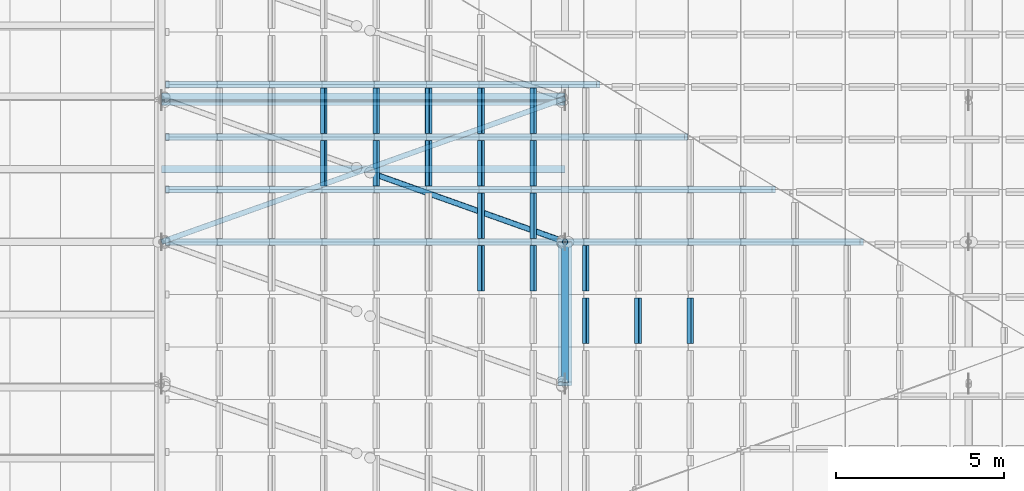
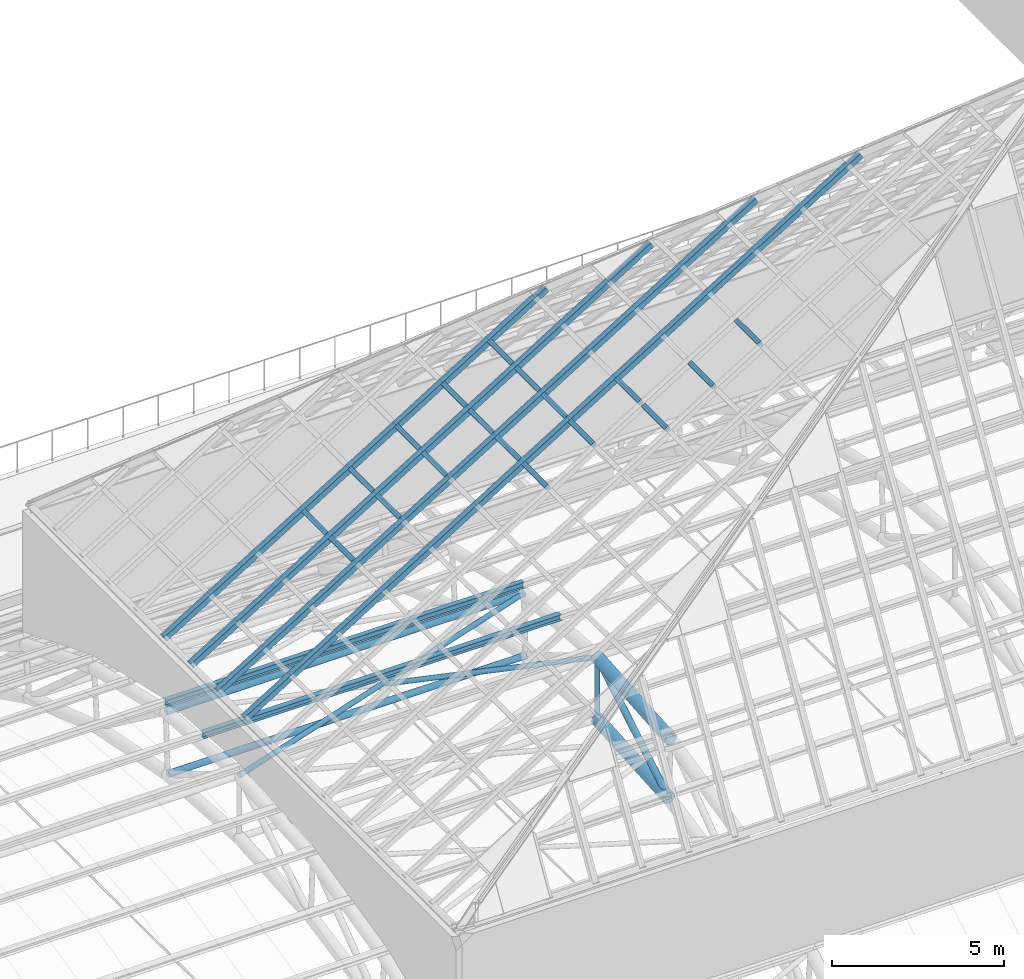
# One storey, part 21 of 110: 32 members.
"""IFC4 building model written with IfcOpenShell, lengths in metres."""

from ifc_helpers import new_model, si_unit, direction, frame, origin, origin_2d, place, context, subcontext, project, spatial, hollow_rectangle, hollow_circle, i_section, extrude, material, material_profile, profile_set, type_object, element, save


model = new_model("IFC4")

# Units and contexts
model_context = context("Model", 3, precision=1e-05, world=origin(), true_north=direction((0.0, 1.0)))
body_context = subcontext(model_context, "Body", "Model", "MODEL_VIEW")
ifc_project = project(units=[si_unit("LENGTHUNIT", "METRE"), si_unit("AREAUNIT", "SQUARE_METRE"), si_unit("VOLUMEUNIT", "CUBIC_METRE"), si_unit("PLANEANGLEUNIT", "RADIAN"), si_unit("MASSUNIT", "GRAM", prefix="KILO")], contexts=[model_context])

# Site, building, storey
site_placement = place(None, origin())
site = spatial("IfcSite", under=ifc_project, at=site_placement, CompositionType="ELEMENT")
building_placement = place(site_placement, origin())
building = spatial("IfcBuilding", under=site, at=building_placement, Name="Windward Yard Aquatics Centre", CompositionType="ELEMENT")
storey_placement = place(building_placement, frame((0.0, 0.0, 22.60009765625)))
storey = spatial("IfcBuildingStorey", under=building, at=storey_placement, Name="L05", CompositionType="ELEMENT", Elevation=22.60009765625)

# Members
ifc_material_1 = material(Name="Steel ASTM A500 Gr C", Category="steel")
ifc_material_profile_1 = material_profile(ifc_material_1, hollow_circle(Radius=0.084228515625, WallThickness=0.010986328125, at=origin_2d()), Name="HSS168.3X11")
ifc_profile_set_1 = profile_set([ifc_material_profile_1], Name="Steel ASTM A500 Gr C")
member_type_1 = type_object("IfcMemberType", Name="H arch post HSS168.3X11", PredefinedType="POST", material=ifc_profile_set_1)
member_1_placement = place(storey_placement, frame((108.0, 61.0, 6.5966796875), z_axis=(0.0, 0.0, 1.0), x_axis=(1.0, 0.0, 0.0)))
element("IfcMember", 1, at=member_1_placement, inside=storey, type_object=member_type_1, Name="H.AT.5.WP06", PredefinedType="POST", context=body_context, shape_type="SweptSolid", body=[
    extrude(hollow_circle(Radius=0.084228515625, WallThickness=0.010986328125, at=origin_2d()), origin(), (0.0, 0.0, 1.0), 2.199951171875),
])
ifc_material_profile_2 = material_profile(ifc_material_1, hollow_circle(Radius=0.203125, WallThickness=0.015869140625, at=origin_2d()), Name="HSS406.4X15.9")
ifc_profile_set_2 = profile_set([ifc_material_profile_2], Name="Steel ASTM A500 Gr C")
member_type_2 = type_object("IfcMemberType", Name="H arch top chord HSS406.4X15.9", PredefinedType="CHORD", material=ifc_profile_set_2)
member_2_placement = place(storey_placement, frame((108.0, 56.7314453125, 8.4697265625), z_axis=(0.0, 0.997080259355, 0.076360699341), x_axis=(-1.0, 0.0, 0.0)))
element("IfcMember", 2, at=member_2_placement, inside=storey, type_object=member_type_2, Name="H.AT.5.TC05", PredefinedType="CHORD", context=body_context, shape_type="SweptSolid", body=[
    extrude(hollow_circle(Radius=0.203125, WallThickness=0.015869140625, at=origin_2d()), origin(), (0.0, 0.0, 1.0), 4.281005859375),
])
member_3_placement = place(storey_placement, frame((108.0, 56.83935546875, 6.323486328125), z_axis=(0.0, 0.997851241995, 0.065520217098), x_axis=(-1.0, 0.0, 0.0)))
element("IfcMember", 3, at=member_3_placement, inside=storey, type_object=member_type_2, Name="H.AT.5.BC05", PredefinedType="CHORD", context=body_context, shape_type="SweptSolid", body=[
    extrude(hollow_circle(Radius=0.203125, WallThickness=0.015869140625, at=origin_2d()), origin(), (0.0, 0.0, 1.0), 4.169677734375),
])
ifc_material_profile_3 = material_profile(ifc_material_1, hollow_circle(Radius=0.109619140625, WallThickness=0.00830078125, at=origin_2d()), Name="HSS219.1X8.2")
ifc_profile_set_3 = profile_set([ifc_material_profile_3], Name="Steel ASTM A500 Gr C")
member_type_3 = type_object("IfcMemberType", Name="H arch web diagonal HSS219.1X8.2", PredefinedType="BRACE", material=ifc_profile_set_3)
member_4_placement = place(storey_placement, frame((108.0, 56.83935546875, 6.323486328125), z_axis=(0.0, 0.859604150376, 0.51096057055), x_axis=(-1.0, 0.0, 0.0)))
element("IfcMember", 4, at=member_4_placement, inside=storey, type_object=member_type_3, Name="H.AT.5.WD05", PredefinedType="BRACE", context=body_context, shape_type="SweptSolid", body=[
    extrude(hollow_circle(Radius=0.109619140625, WallThickness=0.00830078125, at=origin_2d()), origin(), (0.0, 0.0, 1.0), 4.840087890625),
])
ifc_material_profile_4 = material_profile(ifc_material_1, hollow_rectangle(XDim=0.15234375, YDim=0.15234375, WallThickness=0.009521484375, InnerFilletRadius=0.004638671875, OuterFilletRadius=0.01416015625, at=origin_2d()), Name="HSS152X152X9.5")
ifc_profile_set_4 = profile_set([ifc_material_profile_4], Name="Steel ASTM A500 Gr C")
member_type_4 = type_object("IfcMemberType", Name="H lantern purlin HSS152X152X9.5", PredefinedType="PURLIN", material=ifc_profile_set_4)
member_5_placement = place(storey_placement, frame((100.82861328125, 62.662841796875, 13.68359375), z_axis=(0.0, 1.0, 0.0), x_axis=(-0.850755160219, 0.0, -0.525562229771)))
element("IfcMember", 5, at=member_5_placement, inside=storey, type_object=member_type_4, Name="H.LN.U.04.03.09", PredefinedType="PURLIN", context=body_context, shape_type="SweptSolid", body=[
    extrude(hollow_rectangle(XDim=0.15234375, YDim=0.15234375, WallThickness=0.009521484375, InnerFilletRadius=0.004638671875, OuterFilletRadius=0.01416015625, at=origin_2d()), origin(), (0.0, 0.0, 1.0), 1.35791015625),
])
member_6_placement = place(storey_placement, frame((100.82861328125, 64.22412109375, 13.68359375), z_axis=(0.0, 1.0, 0.0), x_axis=(-0.850755160219, 0.0, -0.525562229771)))
element("IfcMember", 6, at=member_6_placement, inside=storey, type_object=member_type_4, Name="H.LN.U.04.03.10", PredefinedType="PURLIN", context=body_context, shape_type="SweptSolid", body=[
    extrude(hollow_rectangle(XDim=0.15234375, YDim=0.15234375, WallThickness=0.009521484375, InnerFilletRadius=0.004638671875, OuterFilletRadius=0.01416015625, at=origin_2d()), origin(), (0.0, 0.0, 1.0), 1.357666015625),
])
member_7_placement = place(storey_placement, frame((102.385009765625, 62.662841796875, 14.64501953125), z_axis=(0.0, 1.0, 0.0), x_axis=(-0.850755160219, 0.0, -0.525562229771)))
element("IfcMember", 7, at=member_7_placement, inside=storey, type_object=member_type_4, Name="H.LN.U.04.04.09", PredefinedType="PURLIN", context=body_context, shape_type="SweptSolid", body=[
    extrude(hollow_rectangle(XDim=0.15234375, YDim=0.15234375, WallThickness=0.009521484375, InnerFilletRadius=0.004638671875, OuterFilletRadius=0.01416015625, at=origin_2d()), origin(), (0.0, 0.0, 1.0), 1.35791015625),
])
member_8_placement = place(storey_placement, frame((102.385009765625, 64.22412109375, 14.64501953125), z_axis=(0.0, 1.0, 0.0), x_axis=(-0.850755160219, 0.0, -0.525562229771)))
element("IfcMember", 8, at=member_8_placement, inside=storey, type_object=member_type_4, Name="H.LN.U.04.04.10", PredefinedType="PURLIN", context=body_context, shape_type="SweptSolid", body=[
    extrude(hollow_rectangle(XDim=0.15234375, YDim=0.15234375, WallThickness=0.009521484375, InnerFilletRadius=0.004638671875, OuterFilletRadius=0.01416015625, at=origin_2d()), origin(), (0.0, 0.0, 1.0), 1.357666015625),
])
member_9_placement = place(storey_placement, frame((103.941650390625, 62.662841796875, 15.606689453125), z_axis=(0.0, 1.0, 0.0), x_axis=(-0.850755160219, 0.0, -0.525562229771)))
element("IfcMember", 9, at=member_9_placement, inside=storey, type_object=member_type_4, Name="H.LN.U.04.05.09", PredefinedType="PURLIN", context=body_context, shape_type="SweptSolid", body=[
    extrude(hollow_rectangle(XDim=0.15234375, YDim=0.15234375, WallThickness=0.009521484375, InnerFilletRadius=0.004638671875, OuterFilletRadius=0.01416015625, at=origin_2d()), origin(), (0.0, 0.0, 1.0), 1.35791015625),
])
member_10_placement = place(storey_placement, frame((103.941650390625, 64.22412109375, 15.606689453125), z_axis=(0.0, 1.0, 0.0), x_axis=(-0.850755160219, 0.0, -0.525562229771)))
element("IfcMember", 10, at=member_10_placement, inside=storey, type_object=member_type_4, Name="H.LN.U.04.05.10", PredefinedType="PURLIN", context=body_context, shape_type="SweptSolid", body=[
    extrude(hollow_rectangle(XDim=0.15234375, YDim=0.15234375, WallThickness=0.009521484375, InnerFilletRadius=0.004638671875, OuterFilletRadius=0.01416015625, at=origin_2d()), origin(), (0.0, 0.0, 1.0), 1.357666015625),
])
for number, where, z_axis, x_axis, name in (
    (11, (105.498046875, 59.540283203125, 16.568115234375), (0.0, 1.0, 0.0), (-0.850755160219, 0.0, -0.525562229771), "H.LN.U.04.06.06"),
    (12, (105.498046875, 61.1015625, 16.568115234375), (0.0, 1.0, 0.0), (-0.850755160219, 0.0, -0.525562229771), "H.LN.U.04.06.07"),
):
    element("IfcMember", number, at=place(storey_placement, frame(where, z_axis=z_axis, x_axis=x_axis)), inside=storey, type_object=member_type_4, Name=name, PredefinedType="PURLIN", context=body_context, shape_type="SweptSolid", body=[
        extrude(hollow_rectangle(XDim=0.15234375, YDim=0.15234375, WallThickness=0.009521484375, InnerFilletRadius=0.004638671875, OuterFilletRadius=0.01416015625, at=origin_2d()), origin(), (0.0, 0.0, 1.0), 1.358154296875),
    ])
member_11_placement = place(storey_placement, frame((105.498046875, 62.662841796875, 16.568115234375), z_axis=(0.0, 1.0, 0.0), x_axis=(-0.850755160219, 0.0, -0.525562229771)))
element("IfcMember", 13, at=member_11_placement, inside=storey, type_object=member_type_4, Name="H.LN.U.04.06.08", PredefinedType="PURLIN", context=body_context, shape_type="SweptSolid", body=[
    extrude(hollow_rectangle(XDim=0.15234375, YDim=0.15234375, WallThickness=0.009521484375, InnerFilletRadius=0.004638671875, OuterFilletRadius=0.01416015625, at=origin_2d()), origin(), (0.0, 0.0, 1.0), 1.35791015625),
])
member_12_placement = place(storey_placement, frame((105.498046875, 64.22412109375, 16.568115234375), z_axis=(0.0, 1.0, 0.0), x_axis=(-0.850755160219, 0.0, -0.525562229771)))
element("IfcMember", 14, at=member_12_placement, inside=storey, type_object=member_type_4, Name="H.LN.U.04.06.09", PredefinedType="PURLIN", context=body_context, shape_type="SweptSolid", body=[
    extrude(hollow_rectangle(XDim=0.15234375, YDim=0.15234375, WallThickness=0.009521484375, InnerFilletRadius=0.004638671875, OuterFilletRadius=0.01416015625, at=origin_2d()), origin(), (0.0, 0.0, 1.0), 1.357666015625),
])
for number, where, z_axis, x_axis, name in (
    (15, (107.0546875, 59.540283203125, 17.52978515625), (0.0, 1.0, 0.0), (-0.850755160219, 0.0, -0.525562229771), "H.LN.U.04.07.06"),
    (16, (107.0546875, 61.1015625, 17.52978515625), (0.0, 1.0, 0.0), (-0.850755160219, 0.0, -0.525562229771), "H.LN.U.04.07.07"),
):
    element("IfcMember", number, at=place(storey_placement, frame(where, z_axis=z_axis, x_axis=x_axis)), inside=storey, type_object=member_type_4, Name=name, PredefinedType="PURLIN", context=body_context, shape_type="SweptSolid", body=[
        extrude(hollow_rectangle(XDim=0.15234375, YDim=0.15234375, WallThickness=0.009521484375, InnerFilletRadius=0.004638671875, OuterFilletRadius=0.01416015625, at=origin_2d()), origin(), (0.0, 0.0, 1.0), 1.358154296875),
    ])
member_13_placement = place(storey_placement, frame((107.0546875, 62.662841796875, 17.52978515625), z_axis=(0.0, 1.0, 0.0), x_axis=(-0.850755160219, 0.0, -0.525562229771)))
element("IfcMember", 17, at=member_13_placement, inside=storey, type_object=member_type_4, Name="H.LN.U.04.07.08", PredefinedType="PURLIN", context=body_context, shape_type="SweptSolid", body=[
    extrude(hollow_rectangle(XDim=0.15234375, YDim=0.15234375, WallThickness=0.009521484375, InnerFilletRadius=0.004638671875, OuterFilletRadius=0.01416015625, at=origin_2d()), origin(), (0.0, 0.0, 1.0), 1.35791015625),
])
member_14_placement = place(storey_placement, frame((107.0546875, 64.22412109375, 17.52978515625), z_axis=(0.0, 1.0, 0.0), x_axis=(-0.850755160219, 0.0, -0.525562229771)))
element("IfcMember", 18, at=member_14_placement, inside=storey, type_object=member_type_4, Name="H.LN.U.04.07.09", PredefinedType="PURLIN", context=body_context, shape_type="SweptSolid", body=[
    extrude(hollow_rectangle(XDim=0.15234375, YDim=0.15234375, WallThickness=0.009521484375, InnerFilletRadius=0.004638671875, OuterFilletRadius=0.01416015625, at=origin_2d()), origin(), (0.0, 0.0, 1.0), 1.357666015625),
])
member_15_placement = place(storey_placement, frame((108.611083984375, 57.979248046875, 18.4912109375), z_axis=(0.0, 1.0, 0.0), x_axis=(-0.850755160219, 0.0, -0.525562229771)))
element("IfcMember", 19, at=member_15_placement, inside=storey, type_object=member_type_4, Name="H.LN.U.04.08.04", PredefinedType="PURLIN", context=body_context, shape_type="SweptSolid", body=[
    extrude(hollow_rectangle(XDim=0.15234375, YDim=0.15234375, WallThickness=0.009521484375, InnerFilletRadius=0.004638671875, OuterFilletRadius=0.01416015625, at=origin_2d()), origin(), (0.0, 0.0, 1.0), 1.35791015625),
])
member_16_placement = place(storey_placement, frame((108.611083984375, 59.540283203125, 18.4912109375), z_axis=(0.0, 1.0, 0.0), x_axis=(-0.850755160219, 0.0, -0.525562229771)))
element("IfcMember", 20, at=member_16_placement, inside=storey, type_object=member_type_4, Name="H.LN.U.04.08.05", PredefinedType="PURLIN", context=body_context, shape_type="SweptSolid", body=[
    extrude(hollow_rectangle(XDim=0.15234375, YDim=0.15234375, WallThickness=0.009521484375, InnerFilletRadius=0.004638671875, OuterFilletRadius=0.01416015625, at=origin_2d()), origin(), (0.0, 0.0, 1.0), 1.358154296875),
])
for number, where, z_axis, x_axis, name in (
    (21, (110.167724609375, 57.979248046875, 19.452880859375), (0.0, 1.0, 0.0), (-0.850755160219, 0.0, -0.525562229771), "H.LN.U.04.09.04"),
    (22, (111.72412109375, 57.979248046875, 20.414306640625), (0.0, 1.0, 0.0), (-0.850755160219, 0.0, -0.525562229771), "H.LN.U.04.10.04"),
):
    element("IfcMember", number, at=place(storey_placement, frame(where, z_axis=z_axis, x_axis=x_axis)), inside=storey, type_object=member_type_4, Name=name, PredefinedType="PURLIN", context=body_context, shape_type="SweptSolid", body=[
        extrude(hollow_rectangle(XDim=0.15234375, YDim=0.15234375, WallThickness=0.009521484375, InnerFilletRadius=0.004638671875, OuterFilletRadius=0.01416015625, at=origin_2d()), origin(), (0.0, 0.0, 1.0), 1.35791015625),
    ])
ifc_material_profile_5 = material_profile(ifc_material_1, hollow_rectangle(XDim=0.203125, YDim=0.203125, WallThickness=0.009521484375, InnerFilletRadius=0.004638671875, OuterFilletRadius=0.01416015625, at=origin_2d()), Name="HSS203X203X9.5")
ifc_profile_set_5 = profile_set([ifc_material_profile_5], Name="Steel ASTM A500 Gr C")
member_type_5 = type_object("IfcMemberType", Name="H lantern rafter HSS203X203X9.5", PredefinedType="RAFTER", material=ifc_profile_set_5)
member_17_placement = place(storey_placement, frame((96.17236328125, 61.0, 10.777099609375), z_axis=(0.850752091683, 0.0, 0.525567196938), x_axis=(0.0, 1.0, 0.0)))
element("IfcMember", 23, at=member_17_placement, inside=storey, type_object=member_type_5, Name="H.LN.R.04.08", PredefinedType="RAFTER", context=body_context, shape_type="SweptSolid", body=[
    extrude(hollow_rectangle(XDim=0.203125, YDim=0.203125, WallThickness=0.009521484375, InnerFilletRadius=0.004638671875, OuterFilletRadius=0.01416015625, at=origin_2d()), origin(), (0.0, 0.0, 1.0), 24.268798828125),
])
member_18_placement = place(storey_placement, frame((96.17236328125, 62.561279296875, 10.777099609375), z_axis=(0.85075317071, 0.0, 0.525565450279), x_axis=(0.0, 1.0, 0.0)))
element("IfcMember", 24, at=member_18_placement, inside=storey, type_object=member_type_5, Name="H.LN.R.04.09", PredefinedType="RAFTER", context=body_context, shape_type="SweptSolid", body=[
    extrude(hollow_rectangle(XDim=0.203125, YDim=0.203125, WallThickness=0.009521484375, InnerFilletRadius=0.004638671875, OuterFilletRadius=0.01416015625, at=origin_2d()), origin(), (0.0, 0.0, 1.0), 21.2001953125),
])
member_19_placement = place(storey_placement, frame((96.17236328125, 64.122314453125, 10.777099609375), z_axis=(0.850752313723, 0.0, 0.525566837515), x_axis=(0.0, 1.0, 0.0)))
element("IfcMember", 25, at=member_19_placement, inside=storey, type_object=member_type_5, Name="H.LN.R.04.10", PredefinedType="RAFTER", context=body_context, shape_type="SweptSolid", body=[
    extrude(hollow_rectangle(XDim=0.203125, YDim=0.203125, WallThickness=0.009521484375, InnerFilletRadius=0.004638671875, OuterFilletRadius=0.01416015625, at=origin_2d()), origin(), (0.0, 0.0, 1.0), 18.1318359375),
])
member_20_placement = place(storey_placement, frame((96.17236328125, 65.68359375, 10.777099609375), z_axis=(0.850751107619, 0.0, 0.52556878987), x_axis=(0.0, 1.0, 0.0)))
element("IfcMember", 26, at=member_20_placement, inside=storey, type_object=member_type_5, Name="H.LN.R.04.11", PredefinedType="RAFTER", context=body_context, shape_type="SweptSolid", body=[
    extrude(hollow_rectangle(XDim=0.203125, YDim=0.203125, WallThickness=0.009521484375, InnerFilletRadius=0.004638671875, OuterFilletRadius=0.01416015625, at=origin_2d()), origin(), (0.0, 0.0, 1.0), 15.063720703125),
])
ifc_material_profile_6 = material_profile(ifc_material_1, hollow_circle(Radius=0.084228515625, WallThickness=0.007080078125, at=origin_2d()), Name="HSS168.3X7.1")
ifc_profile_set_6 = profile_set([ifc_material_profile_6], Name="Steel ASTM A500 Gr C")
member_type_6 = type_object("IfcMemberType", Name="H roof brace HSS168.3X7.1", PredefinedType="BRACE", material=ifc_profile_set_6)
member_21_placement = place(storey_placement, frame((96.0, 61.0, 8.796630859375), z_axis=(0.941857706395, 0.335030927299, -0.025658110939), x_axis=(-0.335141263687, 0.942167890227, 0.0)))
element("IfcMember", 27, at=member_21_placement, inside=storey, type_object=member_type_6, Name="H.RB.4.T06A", PredefinedType="BRACE", context=body_context, shape_type="SweptSolid", body=[
    extrude(hollow_circle(Radius=0.084228515625, WallThickness=0.007080078125, at=origin_2d()), origin(), (0.0, 0.0, 1.0), 12.74072265625),
])
member_22_placement = place(storey_placement, frame((102.1064453125, 63.096435546875, 8.63623046875), z_axis=(0.941857174882, -0.33503428172, 0.025633809606), x_axis=(0.335144410202, 0.942166770965, 0.0)))
element("IfcMember", 28, at=member_22_placement, inside=storey, type_object=member_type_6, Name="H.RB.4.T06B2", PredefinedType="BRACE", context=body_context, shape_type="SweptSolid", body=[
    extrude(hollow_circle(Radius=0.084228515625, WallThickness=0.007080078125, at=origin_2d()), origin(), (0.0, 0.0, 1.0), 6.25732421875),
])
ifc_material_2 = material(Name="Steel ASTM A992 Gr 50", Category="steel")
ifc_material_profile_7 = material_profile(ifc_material_2, i_section(OverallWidth=0.202880859375, OverallDepth=0.202880859375, WebThickness=0.00732421875, FlangeThickness=0.010986328125, at=origin_2d()), Name="W200X46.1")
ifc_profile_set_7 = profile_set([ifc_material_profile_7], Name="Steel ASTM A992 Gr 50")
member_type_7 = type_object("IfcMemberType", Name="H roof purlin W200X46.1", PredefinedType="PURLIN", material=ifc_profile_set_7)
for number, where, z_axis, x_axis, name in (
    (29, (96.0, 63.157470703125, 8.93701171875), (1.0, 0.0, 0.0), (0.0, 0.997080793073, -0.076353729998), "H.PU.4.12"),
    (30, (96.0, 65.31494140625, 8.77099609375), (1.0, 0.0, 0.0), (0.0, 0.988340215831, -0.152261675321), "H.PU.4.13"),
):
    element("IfcMember", number, at=place(storey_placement, frame(where, z_axis=z_axis, x_axis=x_axis)), inside=storey, type_object=member_type_7, Name=name, PredefinedType="PURLIN", context=body_context, shape_type="SweptSolid", body=[
        extrude(i_section(OverallWidth=0.202880859375, OverallDepth=0.202880859375, WebThickness=0.00732421875, FlangeThickness=0.010986328125, at=origin_2d()), origin(), (0.0, 0.0, 1.0), 12.0),
    ])
ifc_material_profile_8 = material_profile(ifc_material_1, hollow_circle(Radius=0.109619140625, WallThickness=0.00830078125, at=origin_2d()), Name="HSS219.1X8.2")
ifc_profile_set_8 = profile_set([ifc_material_profile_8], Name="Steel ASTM A500 Gr C")
member_type_8 = type_object("IfcMemberType", Name="H roof strut HSS219.1X8.2", PredefinedType="STRUT", material=ifc_profile_set_8)
for number, where, z_axis, x_axis, name in (
    (31, (96.0, 65.2685546875, 8.4697265625), (1.0, 0.0, 0.0), (0.0, 1.0, 0.0), "H.RS.4.T07"),
    (32, (96.0, 65.16064453125, 6.323486328125), (1.0, 0.0, 0.0), (0.0, 1.0, 0.0), "H.RS.4.B07"),
):
    element("IfcMember", number, at=place(storey_placement, frame(where, z_axis=z_axis, x_axis=x_axis)), inside=storey, type_object=member_type_8, Name=name, PredefinedType="STRUT", context=body_context, shape_type="SweptSolid", body=[
        extrude(hollow_circle(Radius=0.109619140625, WallThickness=0.00830078125, at=origin_2d()), origin(), (0.0, 0.0, 1.0), 12.0),
    ])

save(model, "model.ifc")
